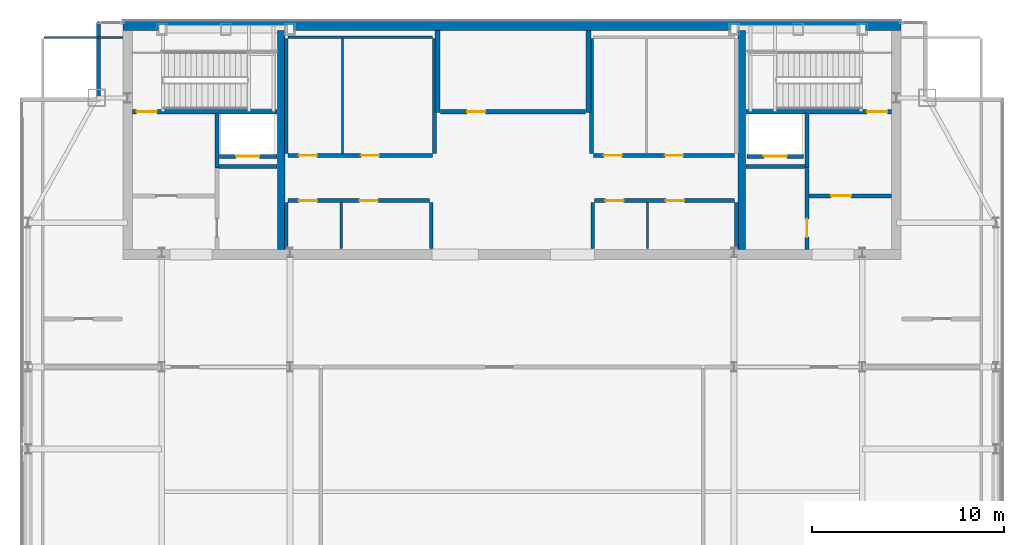
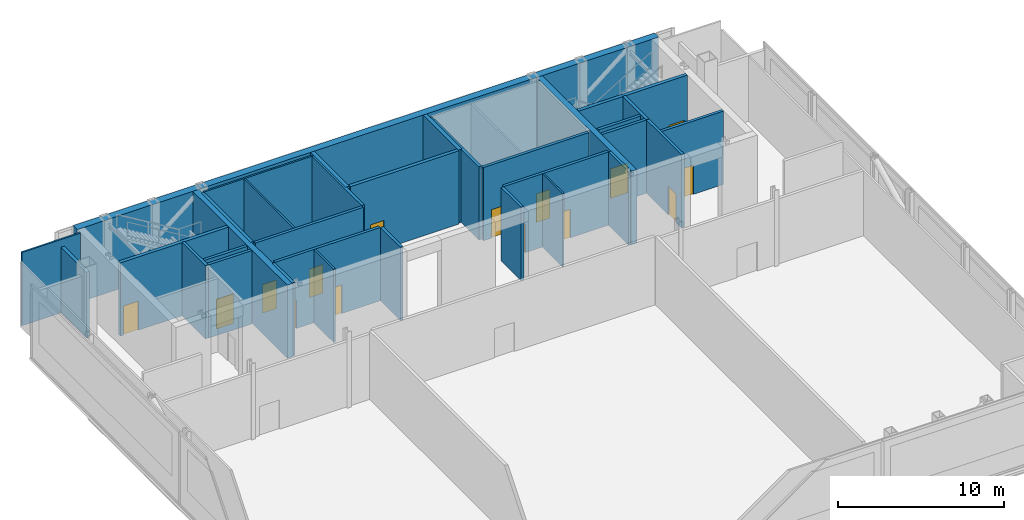
# One storey, part 19 of 22: 33 walls, 15 doors, 15 openings.
"""IFC4 building model written with IfcOpenShell, lengths in metres."""

from ifc_helpers import new_model, si_unit, direction, frame, frame_2d, origin, place, context, subcontext, project, spatial, rectangle, extrude, material, layer, layer_set, type_object, element, fill, save


model = new_model("IFC4")

# Units and contexts
model_context = context("Model", 3, precision=1e-05, world=origin(), true_north=direction((0.0, 1.0)))
body_context = subcontext(model_context, "Body", "Model", "MODEL_VIEW")
ifc_project = project(units=[si_unit("LENGTHUNIT", "METRE"), si_unit("AREAUNIT", "SQUARE_METRE"), si_unit("VOLUMEUNIT", "CUBIC_METRE"), si_unit("PLANEANGLEUNIT", "RADIAN"), si_unit("MASSUNIT", "GRAM", prefix="KILO")], contexts=[model_context])

# Site, building, storey
site_placement = place(None, origin())
site = spatial("IfcSite", under=ifc_project, at=site_placement, CompositionType="ELEMENT")
building_placement = place(site_placement, origin())
building = spatial("IfcBuilding", under=site, at=building_placement, Name="Khoronbel Lancet Exchange", CompositionType="ELEMENT")
storey_placement = place(building_placement, frame((0.0, 0.0, 361.800048828125)))
storey = spatial("IfcBuildingStorey", under=building, at=storey_placement, Name="L93", CompositionType="ELEMENT", Elevation=361.800048828125)

# Walls
ifc_material_1 = material(Name="Concrete C60/75", Category="concrete")
ifc_layer_1 = layer(ifc_material_1, 0.5, Name="Concrete C60/75")
ifc_layer_set_1 = layer_set([ifc_layer_1], Name="Concrete C60/75")
wall_type_1 = type_object("IfcWallType", Name="WL-CW4", PredefinedType="SHEAR", material=ifc_layer_set_1)
wall_1_placement = place(storey_placement, frame((16.199951171875, 53.449951171875, 0.0), z_axis=(0.0, 0.0, 1.0), x_axis=(1.0, 0.0, 0.0)))
element("IfcWall", 1, at=wall_1_placement, inside=storey, type_object=wall_type_1, Name="Level L93 rear core north shear wall", PredefinedType="SHEAR", context=body_context, shape_type="SweptSolid", body=[
    extrude(rectangle(XDim=40.5, YDim=0.5, at=frame_2d((20.25, 0.0))), origin(), (0.0, 0.0, 1.0), 5.39990234375),
])
ifc_material_2 = material(Name="Precast concrete C40/50", Category="concrete")
ifc_layer_2 = layer(ifc_material_2, 0.25, Name="Precast concrete C40/50")
ifc_layer_set_2 = layer_set([ifc_layer_2], Name="Precast concrete C40/50")
wall_type_2 = type_object("IfcWallType", Name="WL-EXT250", PredefinedType="SOLIDWALL", material=ifc_layer_set_2)
wall_2_placement = place(storey_placement, frame((14.93994140625, 49.719970703125, 0.0), z_axis=(0.0, 0.0, 1.0), x_axis=(0.0, 1.0, 0.0)))
element("IfcWall", 2, at=wall_2_placement, inside=storey, type_object=wall_type_2, Name="Level L93 notched-corner limestone pier 05", PredefinedType="SOLIDWALL", context=body_context, shape_type="SweptSolid", body=[
    extrude(rectangle(XDim=3.909912109375, YDim=0.219970703125, at=frame_2d((1.955078125, 0.0))), origin(), (0.0, 0.0, 1.0), 4.83984375),
])
ifc_material_3 = material(Name="Acoustic Metal-Stud & Mineral-Wool Gypsum Partition 120 mm", Category="gypsum")
ifc_layer_3 = layer(ifc_material_3, 0.1201171875, Name="Acoustic Metal-Stud & Mineral-Wool Gypsum Partition 120 mm")
ifc_layer_set_3 = layer_set([ifc_layer_3], Name="Acoustic Metal-Stud & Mineral-Wool Gypsum Partition 120 mm")
wall_type_3 = type_object("IfcWallType", Name="WL-PRT120", PredefinedType="PARTITIONING", material=ifc_layer_set_3)
wall_3_placement = place(storey_placement, frame((12.094970703125, 52.840087890625, 0.0), z_axis=(0.0, 0.0, 1.0), x_axis=(1.0, 0.0, 0.0)))
element("IfcWall", 3, at=wall_3_placement, inside=storey, type_object=wall_type_3, Name="Level L93 interior partition PW-LIN-NW", PredefinedType="PARTITIONING", context=body_context, shape_type="SweptSolid", body=[
    extrude(rectangle(XDim=4.10498046875, YDim=0.1201171875, at=frame_2d((2.052490234375, 0.0))), origin(), (0.0, 0.0, 1.0), 5.39990234375),
])
ifc_material_4 = material(Name="Fire-Rated Metal-Stud & Mineral-Wool Gypsum Partition 120 mm", Category="gypsum")
ifc_layer_4 = layer(ifc_material_4, 0.1201171875, Name="Fire-Rated Metal-Stud & Mineral-Wool Gypsum Partition 120 mm")
ifc_layer_set_4 = layer_set([ifc_layer_4], Name="Fire-Rated Metal-Stud & Mineral-Wool Gypsum Partition 120 mm")
wall_type_4 = type_object("IfcWallType", Name="WL-PRT120F", PredefinedType="PARTITIONING", material=ifc_layer_set_4)
wall_4_placement = place(storey_placement, frame((24.804931640625, 52.860107421875, 0.0), z_axis=(0.0, 0.0, 1.0), x_axis=(1.0, 0.0, 0.0)))
element("IfcWall", 4, at=wall_4_placement, inside=storey, type_object=wall_type_4, Name="Level L93 interior partition CW-PL-RN", PredefinedType="PARTITIONING", context=body_context, shape_type="SweptSolid", body=[
    extrude(rectangle(XDim=7.510009765625, YDim=0.1201171875, at=frame_2d((3.7548828125, 0.0))), origin(), (0.0, 0.0, 1.0), 5.39990234375),
])
wall_5_placement = place(storey_placement, frame((27.633544921875, 46.804931640625, 0.0), z_axis=(0.0, 0.0, 1.0), x_axis=(0.0, 1.0, 0.0)))
element("IfcWall", 5, at=wall_5_placement, inside=storey, type_object=wall_type_4, Name="Level L93 interior partition CW-PL-RS1", PredefinedType="PARTITIONING", context=body_context, shape_type="SweptSolid", body=[
    extrude(rectangle(XDim=5.989990234375, YDim=0.1201171875, at=frame_2d((2.9951171875, 0.0))), origin(), (0.0, 0.0, 1.0), 5.39990234375),
])
for number, where, z_axis, x_axis, name in (
    (6, (27.569091796875, 41.85009765625, 0.0), (0.0, 0.0, 1.0), (0.0, 1.0, 0.0), "Level L93 interior partition CW-PM-RS1"),
    (7, (43.49609375, 41.85009765625, 0.0), (0.0, 0.0, 1.0), (0.0, 1.0, 0.0), "Level L93 interior partition CW-PX-RS1"),
):
    element("IfcWall", number, at=place(storey_placement, frame(where, z_axis=z_axis, x_axis=x_axis)), inside=storey, type_object=wall_type_4, Name=name, PredefinedType="PARTITIONING", context=body_context, shape_type="SweptSolid", body=[
        extrude(rectangle(XDim=2.39501953125, YDim=0.1201171875, at=frame_2d((1.197509765625, 0.0))), origin(), (0.0, 0.0, 1.0), 5.39990234375),
    ])

# Wall, opening, door
ifc_material_5 = material(Name="Autoclaved Aerated Concrete Blockwork 200 mm", Category="masonry")
ifc_layer_5 = layer(ifc_material_5, 0.199951171875, Name="Autoclaved Aerated Concrete Blockwork 200 mm")
ifc_layer_set_5 = layer_set([ifc_layer_5], Name="Autoclaved Aerated Concrete Blockwork 200 mm")
wall_type_5 = type_object("IfcWallType", Name="WL-PRT200", PredefinedType="PARTITIONING", material=ifc_layer_set_5)
wall_6_placement = place(storey_placement, frame((51.610107421875, 46.64990234375, 0.0), z_axis=(0.0, 0.0, 1.0), x_axis=(-1.0, 0.0, 0.0)))
wall_6 = element("IfcWall", 8, at=wall_6_placement, inside=storey, type_object=wall_type_5, Name="Level L93 elevator hoistway landing front wall FFLE", PredefinedType="PARTITIONING", context=body_context, shape_type="SweptSolid", body=[
    extrude(rectangle(XDim=2.920166015625, YDim=0.199951171875, at=frame_2d((1.4599609375, 0.0))), origin(), (0.0, 0.0, 1.0), 5.39990234375),
])
opening_1_placement = place(wall_6_placement, frame((0.860107421875, 0.0, 0.0)))
opening_1 = element("IfcOpeningElement", 9, at=opening_1_placement, cuts=wall_6, Name="Opening LD-FFL2", PredefinedType="OPENING", context=body_context, shape_type="SweptSolid", body=[
    extrude(rectangle(XDim=1.199951171875, YDim=2.179931640625, at=frame_2d((0.60009765625, 1.08984375))), frame((0.0, 0.10986328125, 0.0), z_axis=(0.0, -1.0, 0.0), x_axis=(1.0, 0.0, 0.0)), (0.0, 0.0, 1.0), 0.219970703125),
])
ifc_material_6 = material(Name="Fire-Rated Stainless Bi-Parting Firefighting Lift Door", Category="steel")
door_type_1 = type_object("IfcDoorType", Name="DR-LD-FFL", OperationType="NOTDEFINED", PredefinedType="DOOR", material=ifc_material_6)
door_1_placement = place(opening_1_placement, origin())
door_1 = element("IfcDoor", 10, at=door_1_placement, inside=storey, type_object=door_type_1, Name="Elevator landing sliding door LD-FFL2 L93", OperationType="SLIDING_TO_LEFT", OverallHeight=2.179931640625, OverallWidth=1.199951171875, PredefinedType="DOOR", context=body_context, shape_type="SweptSolid", body=[
    extrude(rectangle(XDim=1.199951171875, YDim=2.179931640625, at=frame_2d((0.60009765625, 1.08984375))), frame((0.0, 0.02490234375, 0.0), z_axis=(0.0, -1.0, 0.0), x_axis=(1.0, 0.0, 0.0)), (0.0, 0.0, 1.0), 0.050048828125),
])
fill(opening_1, door_1)

wall_7_placement = place(storey_placement, frame((24.2099609375, 46.64990234375, 0.0), z_axis=(0.0, 0.0, 1.0), x_axis=(-1.0, 0.0, 0.0)))
wall_7 = element("IfcWall", 11, at=wall_7_placement, inside=storey, type_object=wall_type_5, Name="Level L93 elevator hoistway landing front wall FFLW", PredefinedType="PARTITIONING", context=body_context, shape_type="SweptSolid", body=[
    extrude(rectangle(XDim=2.969970703125, YDim=0.199951171875, at=frame_2d((1.48486328125, 0.0))), origin(), (0.0, 0.0, 1.0), 5.39990234375),
])
opening_2_placement = place(wall_7_placement, frame((0.909912109375, 0.0, 0.0)))
opening_2 = element("IfcOpeningElement", 12, at=opening_2_placement, cuts=wall_7, Name="Opening LD-FFL1", PredefinedType="OPENING", context=body_context, shape_type="SweptSolid", body=[
    extrude(rectangle(XDim=1.199951171875, YDim=2.179931640625, at=frame_2d((0.60009765625, 1.08984375))), frame((0.0, 0.10986328125, 0.0), z_axis=(0.0, -1.0, 0.0), x_axis=(1.0, 0.0, 0.0)), (0.0, 0.0, 1.0), 0.219970703125),
])
door_2_placement = place(opening_2_placement, origin())
door_2 = element("IfcDoor", 13, at=door_2_placement, inside=storey, type_object=door_type_1, Name="Elevator landing sliding door LD-FFL1 L93", OperationType="SLIDING_TO_LEFT", OverallHeight=2.179931640625, OverallWidth=1.199951171875, PredefinedType="DOOR", context=body_context, shape_type="SweptSolid", body=[
    extrude(rectangle(XDim=1.199951171875, YDim=2.179931640625, at=frame_2d((0.60009765625, 1.08984375))), frame((0.0, 0.02490234375, 0.0), z_axis=(0.0, -1.0, 0.0), x_axis=(1.0, 0.0, 0.0)), (0.0, 0.0, 1.0), 0.050048828125),
])
fill(opening_2, door_2)

# Walls
wall_8_placement = place(storey_placement, frame((21.10009765625, 46.050048828125, 0.0), z_axis=(0.0, 0.0, 1.0), x_axis=(0.0, 1.0, 0.0)))
element("IfcWall", 14, at=wall_8_placement, inside=storey, type_object=wall_type_5, Name="Level L93 interior partition CW-FFLW-E", PredefinedType="PARTITIONING", context=body_context, shape_type="SweptSolid", body=[
    extrude(rectangle(XDim=2.849853515625, YDim=0.199951171875, at=frame_2d((1.4248046875, 0.0))), origin(), (0.0, 0.0, 1.0), 5.39990234375),
])
wall_9_placement = place(storey_placement, frame((21.199951171875, 46.1201171875, 0.0), z_axis=(0.0, 0.0, 1.0), x_axis=(1.0, 0.0, 0.0)))
element("IfcWall", 15, at=wall_9_placement, inside=storey, type_object=wall_type_5, Name="Level L93 interior partition CW-FFL1-S", PredefinedType="PARTITIONING", context=body_context, shape_type="SweptSolid", body=[
    extrude(rectangle(XDim=3.02001953125, YDim=0.199951171875, at=frame_2d((1.510009765625, 0.0))), origin(), (0.0, 0.0, 1.0), 5.39990234375),
])
wall_10_placement = place(storey_placement, frame((51.800048828125, 46.050048828125, 0.0), z_axis=(0.0, 0.0, 1.0), x_axis=(0.0, 1.0, 0.0)))
element("IfcWall", 16, at=wall_10_placement, inside=storey, type_object=wall_type_5, Name="Level L93 interior partition CW-FFLE-W", PredefinedType="PARTITIONING", context=body_context, shape_type="SweptSolid", body=[
    extrude(rectangle(XDim=2.849853515625, YDim=0.199951171875, at=frame_2d((1.4248046875, 0.0))), origin(), (0.0, 0.0, 1.0), 5.39990234375),
])

# Wall, opening, door
wall_11_placement = place(storey_placement, frame((51.89990234375, 44.60009765625, 0.0), z_axis=(0.0, 0.0, 1.0), x_axis=(1.0, 0.0, 0.0)))
wall_11 = element("IfcWall", 17, at=wall_11_placement, inside=storey, type_object=wall_type_5, Name="Level L93 interior partition CW-FFLE-S", PredefinedType="PARTITIONING", context=body_context, shape_type="SweptSolid", body=[
    extrude(rectangle(XDim=4.300048828125, YDim=0.199951171875, at=frame_2d((2.14990234375, 0.0))), origin(), (0.0, 0.0, 1.0), 5.39990234375),
])
opening_3_placement = place(wall_11_placement, frame((1.14990234375, 0.0, 0.0)))
opening_3 = element("IfcOpeningElement", 18, at=opening_3_placement, cuts=wall_11, Name="Opening FD1", PredefinedType="OPENING", context=body_context, shape_type="SweptSolid", body=[
    extrude(rectangle(XDim=1.050048828125, YDim=2.14990234375, at=frame_2d((0.52490234375, 1.074951171875))), frame((0.0, 0.10986328125, 0.0), z_axis=(0.0, -1.0, 0.0), x_axis=(1.0, 0.0, 0.0)), (0.0, 0.0, 1.0), 0.219970703125),
])
ifc_material_7 = material(Name="Fire-Rated Painted Steel Door Assembly", Category="steel")
door_type_2 = type_object("IfcDoorType", Name="DR-FD1", OperationType="NOTDEFINED", PredefinedType="DOOR", material=ifc_material_7)
door_3_placement = place(opening_3_placement, origin())
door_3 = element("IfcDoor", 19, at=door_3_placement, inside=storey, type_object=door_type_2, Name="East firefighting lobby FD90S door L93-1", OperationType="SINGLE_SWING_LEFT", OverallHeight=2.14990234375, OverallWidth=1.050048828125, PredefinedType="DOOR", context=body_context, shape_type="SweptSolid", body=[
    extrude(rectangle(XDim=1.050048828125, YDim=2.14990234375, at=frame_2d((0.52490234375, 1.074951171875))), frame((0.0, 0.02490234375, 0.0), z_axis=(0.0, -1.0, 0.0), x_axis=(1.0, 0.0, 0.0)), (0.0, 0.0, 1.0), 0.050048828125),
])
fill(opening_3, door_3)

# Wall
wall_12_placement = place(storey_placement, frame((48.6298828125, 46.1201171875, 0.0), z_axis=(0.0, 0.0, 1.0), x_axis=(1.0, 0.0, 0.0)))
element("IfcWall", 20, at=wall_12_placement, inside=storey, type_object=wall_type_5, Name="Level L93 interior partition CW-FFL2-S", PredefinedType="PARTITIONING", context=body_context, shape_type="SweptSolid", body=[
    extrude(rectangle(XDim=3.070068359375, YDim=0.199951171875, at=frame_2d((1.53515625, 0.0))), origin(), (0.0, 0.0, 1.0), 5.39990234375),
])

# Wall, opening, door
wall_13_placement = place(storey_placement, frame((51.800048828125, 41.800048828125, 0.0), z_axis=(0.0, 0.0, 1.0), x_axis=(0.0, 1.0, 0.0)))
wall_13 = element("IfcWall", 21, at=wall_13_placement, inside=storey, type_object=wall_type_5, Name="Level L93 interior partition CW-SVL2-REC", PredefinedType="PARTITIONING", context=body_context, shape_type="SweptSolid", body=[
    extrude(rectangle(XDim=4.21484375, YDim=0.199951171875, at=frame_2d((2.107421875, 0.0))), origin(), (0.0, 0.0, 1.0), 5.39990234375),
])
opening_4_placement = place(wall_13_placement, frame((0.64990234375, 0.0, 0.0)))
opening_4 = element("IfcOpeningElement", 22, at=opening_4_placement, cuts=wall_13, Name="Opening FD3", PredefinedType="OPENING", context=body_context, shape_type="SweptSolid", body=[
    extrude(rectangle(XDim=0.949951171875, YDim=2.10009765625, at=frame_2d((0.47509765625, 1.050048828125))), frame((0.0, 0.10986328125, 0.0), z_axis=(0.0, -1.0, 0.0), x_axis=(1.0, 0.0, 0.0)), (0.0, 0.0, 1.0), 0.219970703125),
])
ifc_material_8 = material(Name="Fire-Rated Steel Plant & Riser Door Assembly", Category="steel")
door_type_3 = type_object("IfcDoorType", Name="DR-FD3", OperationType="NOTDEFINED", PredefinedType="DOOR", material=ifc_material_8)
door_4_placement = place(opening_4_placement, origin())
door_4 = element("IfcDoor", 23, at=door_4_placement, inside=storey, type_object=door_type_3, Name="Crown hydraulics plant door L93-1", OperationType="SINGLE_SWING_RIGHT", OverallHeight=2.10009765625, OverallWidth=0.949951171875, PredefinedType="DOOR", context=body_context, shape_type="SweptSolid", body=[
    extrude(rectangle(XDim=0.949951171875, YDim=2.10009765625, at=frame_2d((0.47509765625, 1.050048828125))), frame((0.0, 0.02490234375, 0.0), z_axis=(0.0, -1.0, 0.0), x_axis=(1.0, 0.0, 0.0)), (0.0, 0.0, 1.0), 0.050048828125),
])
fill(opening_4, door_4)

# Walls
for number, where, z_axis, x_axis, name in (
    (24, (24.699951171875, 46.804931640625, 0.0), (0.0, 0.0, 1.0), (0.0, 1.0, 0.0), "Level L93 interior partition CW-PL-RW"),
    (25, (32.419921875, 46.804931640625, 0.0), (0.0, 0.0, 1.0), (0.0, 1.0, 0.0), "Level L93 interior partition CW-PL-RE"),
):
    element("IfcWall", number, at=place(storey_placement, frame(where, z_axis=z_axis, x_axis=x_axis)), inside=storey, type_object=wall_type_5, Name=name, PredefinedType="PARTITIONING", context=body_context, shape_type="SweptSolid", body=[
        extrude(rectangle(XDim=5.989990234375, YDim=0.199951171875, at=frame_2d((2.9951171875, 0.0))), origin(), (0.0, 0.0, 1.0), 5.39990234375),
    ])

# Wall, openings, doors
wall_14_placement = place(storey_placement, frame((24.804931640625, 46.699951171875, 0.0), z_axis=(0.0, 0.0, 1.0), x_axis=(1.0, 0.0, 0.0)))
wall_14 = element("IfcWall", 26, at=wall_14_placement, inside=storey, type_object=wall_type_5, Name="Level L93 interior partition CW-PL-RF", PredefinedType="PARTITIONING", context=body_context, shape_type="SweptSolid", body=[
    extrude(rectangle(XDim=7.510009765625, YDim=0.199951171875, at=frame_2d((3.7548828125, 0.0))), origin(), (0.0, 0.0, 1.0), 5.39990234375),
])
opening_5_placement = place(wall_14_placement, frame((0.550048828125, 0.0, 0.0)))
opening_5 = element("IfcOpeningElement", 27, at=opening_5_placement, cuts=wall_14, Name="Opening FD3", PredefinedType="OPENING", context=body_context, shape_type="SweptSolid", body=[
    extrude(rectangle(XDim=0.949951171875, YDim=2.10009765625, at=frame_2d((0.47509765625, 1.050048828125))), frame((0.0, 0.10986328125, 0.0), z_axis=(0.0, -1.0, 0.0), x_axis=(1.0, 0.0, 0.0)), (0.0, 0.0, 1.0), 0.219970703125),
])
opening_6_placement = place(wall_14_placement, frame((3.78369140625, 0.0, 0.0)))
opening_6 = element("IfcOpeningElement", 28, at=opening_6_placement, cuts=wall_14, Name="Opening FD3", PredefinedType="OPENING", context=body_context, shape_type="SweptSolid", body=[
    extrude(rectangle(XDim=0.949951171875, YDim=2.10009765625, at=frame_2d((0.47509765625, 1.050048828125))), frame((0.0, 0.10986328125, 0.0), z_axis=(0.0, -1.0, 0.0), x_axis=(1.0, 0.0, 0.0)), (0.0, 0.0, 1.0), 0.219970703125),
])
door_5_placement = place(opening_5_placement, origin())
door_5 = element("IfcDoor", 29, at=door_5_placement, inside=storey, type_object=door_type_3, Name="Reclaimed PL A door L93-1", OperationType="SINGLE_SWING_LEFT", OverallHeight=2.10009765625, OverallWidth=0.949951171875, PredefinedType="DOOR", context=body_context, shape_type="SweptSolid", body=[
    extrude(rectangle(XDim=0.949951171875, YDim=2.10009765625, at=frame_2d((0.47509765625, 1.050048828125))), frame((0.0, 0.02490234375, 0.0), z_axis=(0.0, -1.0, 0.0), x_axis=(1.0, 0.0, 0.0)), (0.0, 0.0, 1.0), 0.050048828125),
])
fill(opening_5, door_5)
door_6_placement = place(opening_6_placement, origin())
door_6 = element("IfcDoor", 30, at=door_6_placement, inside=storey, type_object=door_type_3, Name="Reclaimed PL B door L93-2", OperationType="SINGLE_SWING_RIGHT", OverallHeight=2.10009765625, OverallWidth=0.949951171875, PredefinedType="DOOR", context=body_context, shape_type="SweptSolid", body=[
    extrude(rectangle(XDim=0.949951171875, YDim=2.10009765625, at=frame_2d((0.47509765625, 1.050048828125))), frame((0.0, 0.02490234375, 0.0), z_axis=(0.0, -1.0, 0.0), x_axis=(1.0, 0.0, 0.0)), (0.0, 0.0, 1.0), 0.050048828125),
])
fill(opening_6, door_6)

# Walls
for number, where, z_axis, x_axis, name in (
    (31, (24.699951171875, 41.85009765625, 0.0), (0.0, 0.0, 1.0), (0.0, 1.0, 0.0), "Level L93 interior partition CW-PM-RW"),
    (32, (32.25, 41.85009765625, 0.0), (0.0, 0.0, 1.0), (0.0, 1.0, 0.0), "Level L93 interior partition CW-PM-RE"),
):
    element("IfcWall", number, at=place(storey_placement, frame(where, z_axis=z_axis, x_axis=x_axis)), inside=storey, type_object=wall_type_5, Name=name, PredefinedType="PARTITIONING", context=body_context, shape_type="SweptSolid", body=[
        extrude(rectangle(XDim=2.39501953125, YDim=0.199951171875, at=frame_2d((1.197509765625, 0.0))), origin(), (0.0, 0.0, 1.0), 5.39990234375),
    ])

# Wall, openings, doors
wall_15_placement = place(storey_placement, frame((24.804931640625, 44.35009765625, 0.0), z_axis=(0.0, 0.0, 1.0), x_axis=(1.0, 0.0, 0.0)))
wall_15 = element("IfcWall", 33, at=wall_15_placement, inside=storey, type_object=wall_type_5, Name="Level L93 interior partition CW-PM-RF", PredefinedType="PARTITIONING", context=body_context, shape_type="SweptSolid", body=[
    extrude(rectangle(XDim=7.340087890625, YDim=0.199951171875, at=frame_2d((3.669921875, 0.0))), origin(), (0.0, 0.0, 1.0), 5.39990234375),
])
opening_7_placement = place(wall_15_placement, frame((0.550048828125, 0.0, 0.0)))
opening_7 = element("IfcOpeningElement", 34, at=opening_7_placement, cuts=wall_15, Name="Opening FD3", PredefinedType="OPENING", context=body_context, shape_type="SweptSolid", body=[
    extrude(rectangle(XDim=0.949951171875, YDim=2.10009765625, at=frame_2d((0.47509765625, 1.050048828125))), frame((0.0, 0.10986328125, 0.0), z_axis=(0.0, -1.0, 0.0), x_axis=(1.0, 0.0, 0.0)), (0.0, 0.0, 1.0), 0.219970703125),
])
opening_8_placement = place(wall_15_placement, frame((3.718994140625, 0.0, 0.0)))
opening_8 = element("IfcOpeningElement", 35, at=opening_8_placement, cuts=wall_15, Name="Opening FD3", PredefinedType="OPENING", context=body_context, shape_type="SweptSolid", body=[
    extrude(rectangle(XDim=0.949951171875, YDim=2.10009765625, at=frame_2d((0.47509765625, 1.050048828125))), frame((0.0, 0.10986328125, 0.0), z_axis=(0.0, -1.0, 0.0), x_axis=(1.0, 0.0, 0.0)), (0.0, 0.0, 1.0), 0.219970703125),
])
door_7_placement = place(opening_7_placement, origin())
door_7 = element("IfcDoor", 36, at=door_7_placement, inside=storey, type_object=door_type_3, Name="Reclaimed PM A door L93-1", OperationType="SINGLE_SWING_LEFT", OverallHeight=2.10009765625, OverallWidth=0.949951171875, PredefinedType="DOOR", context=body_context, shape_type="SweptSolid", body=[
    extrude(rectangle(XDim=0.949951171875, YDim=2.10009765625, at=frame_2d((0.47509765625, 1.050048828125))), frame((0.0, 0.02490234375, 0.0), z_axis=(0.0, -1.0, 0.0), x_axis=(1.0, 0.0, 0.0)), (0.0, 0.0, 1.0), 0.050048828125),
])
fill(opening_7, door_7)
door_8_placement = place(opening_8_placement, origin())
door_8 = element("IfcDoor", 37, at=door_8_placement, inside=storey, type_object=door_type_3, Name="Reclaimed PM B door L93-2", OperationType="SINGLE_SWING_RIGHT", OverallHeight=2.10009765625, OverallWidth=0.949951171875, PredefinedType="DOOR", context=body_context, shape_type="SweptSolid", body=[
    extrude(rectangle(XDim=0.949951171875, YDim=2.10009765625, at=frame_2d((0.47509765625, 1.050048828125))), frame((0.0, 0.02490234375, 0.0), z_axis=(0.0, -1.0, 0.0), x_axis=(1.0, 0.0, 0.0)), (0.0, 0.0, 1.0), 0.050048828125),
])
fill(opening_8, door_8)

# Wall
wall_16_placement = place(storey_placement, frame((40.580078125, 46.804931640625, 0.0), z_axis=(0.0, 0.0, 1.0), x_axis=(0.0, 1.0, 0.0)))
element("IfcWall", 38, at=wall_16_placement, inside=storey, type_object=wall_type_5, Name="Level L93 interior partition CW-PH-RW", PredefinedType="PARTITIONING", context=body_context, shape_type="SweptSolid", body=[
    extrude(rectangle(XDim=5.989990234375, YDim=0.199951171875, at=frame_2d((2.9951171875, 0.0))), origin(), (0.0, 0.0, 1.0), 5.39990234375),
])

# Wall, openings, doors
wall_17_placement = place(storey_placement, frame((40.68505859375, 46.699951171875, 0.0), z_axis=(0.0, 0.0, 1.0), x_axis=(1.0, 0.0, 0.0)))
wall_17 = element("IfcWall", 39, at=wall_17_placement, inside=storey, type_object=wall_type_5, Name="Level L93 interior partition CW-PH-RF", PredefinedType="PARTITIONING", context=body_context, shape_type="SweptSolid", body=[
    extrude(rectangle(XDim=7.349853515625, YDim=0.199951171875, at=frame_2d((3.6748046875, 0.0))), origin(), (0.0, 0.0, 1.0), 5.39990234375),
])
opening_9_placement = place(wall_17_placement, frame((0.550048828125, 0.0, 0.0)))
opening_9 = element("IfcOpeningElement", 40, at=opening_9_placement, cuts=wall_17, Name="Opening FD3", PredefinedType="OPENING", context=body_context, shape_type="SweptSolid", body=[
    extrude(rectangle(XDim=0.949951171875, YDim=2.10009765625, at=frame_2d((0.47509765625, 1.050048828125))), frame((0.0, 0.10986328125, 0.0), z_axis=(0.0, -1.0, 0.0), x_axis=(1.0, 0.0, 0.0)), (0.0, 0.0, 1.0), 0.219970703125),
])
opening_10_placement = place(wall_17_placement, frame((3.722900390625, 0.0, 0.0)))
opening_10 = element("IfcOpeningElement", 41, at=opening_10_placement, cuts=wall_17, Name="Opening FD3", PredefinedType="OPENING", context=body_context, shape_type="SweptSolid", body=[
    extrude(rectangle(XDim=0.949951171875, YDim=2.10009765625, at=frame_2d((0.47509765625, 1.050048828125))), frame((0.0, 0.10986328125, 0.0), z_axis=(0.0, -1.0, 0.0), x_axis=(1.0, 0.0, 0.0)), (0.0, 0.0, 1.0), 0.219970703125),
])
door_9_placement = place(opening_9_placement, origin())
door_9 = element("IfcDoor", 42, at=door_9_placement, inside=storey, type_object=door_type_3, Name="Reclaimed PH A door L93-1", OperationType="SINGLE_SWING_LEFT", OverallHeight=2.10009765625, OverallWidth=0.949951171875, PredefinedType="DOOR", context=body_context, shape_type="SweptSolid", body=[
    extrude(rectangle(XDim=0.949951171875, YDim=2.10009765625, at=frame_2d((0.47509765625, 1.050048828125))), frame((0.0, 0.02490234375, 0.0), z_axis=(0.0, -1.0, 0.0), x_axis=(1.0, 0.0, 0.0)), (0.0, 0.0, 1.0), 0.050048828125),
])
fill(opening_9, door_9)
door_10_placement = place(opening_10_placement, origin())
door_10 = element("IfcDoor", 43, at=door_10_placement, inside=storey, type_object=door_type_3, Name="Reclaimed PH B door L93-2", OperationType="SINGLE_SWING_RIGHT", OverallHeight=2.10009765625, OverallWidth=0.949951171875, PredefinedType="DOOR", context=body_context, shape_type="SweptSolid", body=[
    extrude(rectangle(XDim=0.949951171875, YDim=2.10009765625, at=frame_2d((0.47509765625, 1.050048828125))), frame((0.0, 0.02490234375, 0.0), z_axis=(0.0, -1.0, 0.0), x_axis=(1.0, 0.0, 0.0)), (0.0, 0.0, 1.0), 0.050048828125),
])
fill(opening_10, door_10)

# Walls
for number, where, z_axis, x_axis, name in (
    (44, (40.64990234375, 41.85009765625, 0.0), (0.0, 0.0, 1.0), (0.0, 1.0, 0.0), "Level L93 interior partition CW-PX-RW"),
    (45, (48.139892578125, 41.85009765625, 0.0), (0.0, 0.0, 1.0), (0.0, 1.0, 0.0), "Level L93 interior partition CW-PX-RE"),
):
    element("IfcWall", number, at=place(storey_placement, frame(where, z_axis=z_axis, x_axis=x_axis)), inside=storey, type_object=wall_type_5, Name=name, PredefinedType="PARTITIONING", context=body_context, shape_type="SweptSolid", body=[
        extrude(rectangle(XDim=2.39501953125, YDim=0.199951171875, at=frame_2d((1.197509765625, 0.0))), origin(), (0.0, 0.0, 1.0), 5.39990234375),
    ])

# Wall, openings, doors
wall_18_placement = place(storey_placement, frame((40.7548828125, 44.35009765625, 0.0), z_axis=(0.0, 0.0, 1.0), x_axis=(1.0, 0.0, 0.0)))
wall_18 = element("IfcWall", 46, at=wall_18_placement, inside=storey, type_object=wall_type_5, Name="Level L93 interior partition CW-PX-RF", PredefinedType="PARTITIONING", context=body_context, shape_type="SweptSolid", body=[
    extrude(rectangle(XDim=7.280029296875, YDim=0.199951171875, at=frame_2d((3.64013671875, 0.0))), origin(), (0.0, 0.0, 1.0), 5.39990234375),
])
opening_11_placement = place(wall_18_placement, frame((0.550048828125, 0.0, 0.0)))
opening_11 = element("IfcOpeningElement", 47, at=opening_11_placement, cuts=wall_18, Name="Opening FD3", PredefinedType="OPENING", context=body_context, shape_type="SweptSolid", body=[
    extrude(rectangle(XDim=0.949951171875, YDim=2.10009765625, at=frame_2d((0.47509765625, 1.050048828125))), frame((0.0, 0.10986328125, 0.0), z_axis=(0.0, -1.0, 0.0), x_axis=(1.0, 0.0, 0.0)), (0.0, 0.0, 1.0), 0.219970703125),
])
opening_12_placement = place(wall_18_placement, frame((3.6962890625, 0.0, 0.0)))
opening_12 = element("IfcOpeningElement", 48, at=opening_12_placement, cuts=wall_18, Name="Opening FD3", PredefinedType="OPENING", context=body_context, shape_type="SweptSolid", body=[
    extrude(rectangle(XDim=0.949951171875, YDim=2.10009765625, at=frame_2d((0.47509765625, 1.050048828125))), frame((0.0, 0.10986328125, 0.0), z_axis=(0.0, -1.0, 0.0), x_axis=(1.0, 0.0, 0.0)), (0.0, 0.0, 1.0), 0.219970703125),
])
door_11_placement = place(opening_11_placement, origin())
door_11 = element("IfcDoor", 49, at=door_11_placement, inside=storey, type_object=door_type_3, Name="Reclaimed PX A door L93-1", OperationType="SINGLE_SWING_LEFT", OverallHeight=2.10009765625, OverallWidth=0.949951171875, PredefinedType="DOOR", context=body_context, shape_type="SweptSolid", body=[
    extrude(rectangle(XDim=0.949951171875, YDim=2.10009765625, at=frame_2d((0.47509765625, 1.050048828125))), frame((0.0, 0.02490234375, 0.0), z_axis=(0.0, -1.0, 0.0), x_axis=(1.0, 0.0, 0.0)), (0.0, 0.0, 1.0), 0.050048828125),
])
fill(opening_11, door_11)
door_12_placement = place(opening_12_placement, origin())
door_12 = element("IfcDoor", 50, at=door_12_placement, inside=storey, type_object=door_type_3, Name="Reclaimed PX B door L93-2", OperationType="SINGLE_SWING_RIGHT", OverallHeight=2.10009765625, OverallWidth=0.949951171875, PredefinedType="DOOR", context=body_context, shape_type="SweptSolid", body=[
    extrude(rectangle(XDim=0.949951171875, YDim=2.10009765625, at=frame_2d((0.47509765625, 1.050048828125))), frame((0.0, 0.02490234375, 0.0), z_axis=(0.0, -1.0, 0.0), x_axis=(1.0, 0.0, 0.0)), (0.0, 0.0, 1.0), 0.050048828125),
])
fill(opening_12, door_12)

# Walls
ifc_layer_6 = layer(ifc_material_1, 0.39990234375, Name="Concrete C60/75")
ifc_layer_set_6 = layer_set([ifc_layer_6], Name="Concrete C60/75")
wall_type_6 = type_object("IfcWallType", Name="WL-SW2", PredefinedType="SHEAR", material=ifc_layer_set_6)
for number, where, z_axis, x_axis, name in (
    (51, (24.449951171875, 41.800048828125, 0.0), (0.0, 0.0, 1.0), (0.0, 1.0, 0.0), "Level L93 rear core internal spine shear wall IW"),
    (52, (48.39990234375, 41.800048828125, 0.0), (0.0, 0.0, 1.0), (0.0, 1.0, 0.0), "Level L93 rear core internal spine shear wall IE"),
):
    element("IfcWall", number, at=place(storey_placement, frame(where, z_axis=z_axis, x_axis=x_axis)), inside=storey, type_object=wall_type_6, Name=name, PredefinedType="SHEAR", context=body_context, shape_type="SweptSolid", body=[
        extrude(rectangle(XDim=11.39990234375, YDim=0.39990234375, at=frame_2d((5.699951171875, 0.0))), origin(), (0.0, 0.0, 1.0), 5.39990234375),
    ])
ifc_layer_7 = layer(ifc_material_1, 0.260009765625, Name="Concrete C60/75")
ifc_layer_set_7 = layer_set([ifc_layer_7], Name="Concrete C60/75")
wall_type_7 = type_object("IfcWallType", Name="WL-SW3", PredefinedType="SHEAR", material=ifc_layer_set_7)
for number, where, z_axis, x_axis, name in (
    (53, (32.580078125, 48.949951171875, 0.0), (0.0, 0.0, 1.0), (0.0, 1.0, 0.0), "Level L93 central stairwell structural shear wall ST3W"),
    (54, (40.419921875, 48.949951171875, 0.0), (0.0, 0.0, 1.0), (0.0, 1.0, 0.0), "Level L93 central stairwell structural shear wall ST3E"),
):
    element("IfcWall", number, at=place(storey_placement, frame(where, z_axis=z_axis, x_axis=x_axis)), inside=storey, type_object=wall_type_7, Name=name, PredefinedType="SHEAR", context=body_context, shape_type="SweptSolid", body=[
        extrude(rectangle(XDim=4.25, YDim=0.260009765625, at=frame_2d((2.125, 0.0))), origin(), (0.0, 0.0, 1.0), 5.39990234375),
    ])

# Wall, opening, door
wall_19_placement = place(storey_placement, frame((16.699951171875, 48.97998046875, 0.0), z_axis=(0.0, 0.0, 1.0), x_axis=(1.0, 0.0, 0.0)))
wall_19 = element("IfcWall", 55, at=wall_19_placement, inside=storey, type_object=wall_type_7, Name="Level L93 west stairwell structural south wall", PredefinedType="SHEAR", context=body_context, shape_type="SweptSolid", body=[
    extrude(rectangle(XDim=7.52001953125, YDim=0.239990234375, at=frame_2d((3.760009765625, 0.0))), origin(), (0.0, 0.0, 1.0), 5.39990234375),
])
opening_13_placement = place(wall_19_placement, frame((0.219970703125, 0.0, 0.0)))
opening_13 = element("IfcOpeningElement", 56, at=opening_13_placement, cuts=wall_19, Name="Opening SD1", PredefinedType="OPENING", context=body_context, shape_type="SweptSolid", body=[
    extrude(rectangle(XDim=1.050048828125, YDim=2.14990234375, at=frame_2d((0.52490234375, 1.074951171875))), frame((0.0, 0.1298828125, 0.0), z_axis=(0.0, -1.0, 0.0), x_axis=(1.0, 0.0, 0.0)), (0.0, 0.0, 1.0), 0.260009765625),
])
ifc_material_9 = material(Name="Fire-Rated Steel Stairwell Door Assembly", Category="steel")
door_type_4 = type_object("IfcDoorType", Name="DR-SD1", OperationType="NOTDEFINED", PredefinedType="DOOR", material=ifc_material_9)
door_13_placement = place(opening_13_placement, origin())
door_13 = element("IfcDoor", 57, at=door_13_placement, inside=storey, type_object=door_type_4, Name="Protected exit stair ST1 door L93", OperationType="SINGLE_SWING_LEFT", OverallHeight=2.14990234375, OverallWidth=1.050048828125, PredefinedType="DOOR", context=body_context, shape_type="SweptSolid", body=[
    extrude(rectangle(XDim=1.050048828125, YDim=2.14990234375, at=frame_2d((0.52490234375, 1.074951171875))), frame((0.0, 0.02490234375, 0.0), z_axis=(0.0, -1.0, 0.0), x_axis=(1.0, 0.0, 0.0)), (0.0, 0.0, 1.0), 0.050048828125),
])
fill(opening_13, door_13)

wall_20_placement = place(storey_placement, frame((48.6298828125, 48.97998046875, 0.0), z_axis=(0.0, 0.0, 1.0), x_axis=(1.0, 0.0, 0.0)))
wall_20 = element("IfcWall", 58, at=wall_20_placement, inside=storey, type_object=wall_type_7, Name="Level L93 east stairwell structural south wall", PredefinedType="SHEAR", context=body_context, shape_type="SweptSolid", body=[
    extrude(rectangle(XDim=7.570068359375, YDim=0.239990234375, at=frame_2d((3.78515625, 0.0))), origin(), (0.0, 0.0, 1.0), 5.39990234375),
])
opening_14_placement = place(wall_20_placement, frame((6.300048828125, 0.0, 0.0)))
opening_14 = element("IfcOpeningElement", 59, at=opening_14_placement, cuts=wall_20, Name="Opening SD1", PredefinedType="OPENING", context=body_context, shape_type="SweptSolid", body=[
    extrude(rectangle(XDim=1.050048828125, YDim=2.14990234375, at=frame_2d((0.52490234375, 1.074951171875))), frame((0.0, 0.1298828125, 0.0), z_axis=(0.0, -1.0, 0.0), x_axis=(1.0, 0.0, 0.0)), (0.0, 0.0, 1.0), 0.260009765625),
])
door_14_placement = place(opening_14_placement, origin())
door_14 = element("IfcDoor", 60, at=door_14_placement, inside=storey, type_object=door_type_4, Name="Protected exit stair ST2 door L93", OperationType="SINGLE_SWING_RIGHT", OverallHeight=2.14990234375, OverallWidth=1.050048828125, PredefinedType="DOOR", context=body_context, shape_type="SweptSolid", body=[
    extrude(rectangle(XDim=1.050048828125, YDim=2.14990234375, at=frame_2d((0.52490234375, 1.074951171875))), frame((0.0, 0.02490234375, 0.0), z_axis=(0.0, -1.0, 0.0), x_axis=(1.0, 0.0, 0.0)), (0.0, 0.0, 1.0), 0.050048828125),
])
fill(opening_14, door_14)

wall_21_placement = place(storey_placement, frame((32.719970703125, 48.97998046875, 0.0), z_axis=(0.0, 0.0, 1.0), x_axis=(1.0, 0.0, 0.0)))
wall_21 = element("IfcWall", 61, at=wall_21_placement, inside=storey, type_object=wall_type_7, Name="Level L93 central stairwell structural south wall", PredefinedType="SHEAR", context=body_context, shape_type="SweptSolid", body=[
    extrude(rectangle(XDim=7.56005859375, YDim=0.239990234375, at=frame_2d((3.780029296875, 0.0))), origin(), (0.0, 0.0, 1.0), 5.39990234375),
])
opening_15_placement = place(wall_21_placement, frame((1.39990234375, 0.0, 0.0)))
opening_15 = element("IfcOpeningElement", 62, at=opening_15_placement, cuts=wall_21, Name="Opening FD3", PredefinedType="OPENING", context=body_context, shape_type="SweptSolid", body=[
    extrude(rectangle(XDim=0.949951171875, YDim=2.10009765625, at=frame_2d((0.47509765625, 1.050048828125))), frame((0.0, 0.1298828125, 0.0), z_axis=(0.0, -1.0, 0.0), x_axis=(1.0, 0.0, 0.0)), (0.0, 0.0, 1.0), 0.260009765625),
])
door_15_placement = place(opening_15_placement, origin())
door_15 = element("IfcDoor", 63, at=door_15_placement, inside=storey, type_object=door_type_3, Name="Crown smoke extract plant door L93", OperationType="SINGLE_SWING_RIGHT", OverallHeight=2.10009765625, OverallWidth=0.949951171875, PredefinedType="DOOR", context=body_context, shape_type="SweptSolid", body=[
    extrude(rectangle(XDim=0.949951171875, YDim=2.10009765625, at=frame_2d((0.47509765625, 1.050048828125))), frame((0.0, 0.02490234375, 0.0), z_axis=(0.0, -1.0, 0.0), x_axis=(1.0, 0.0, 0.0)), (0.0, 0.0, 1.0), 0.050048828125),
])
fill(opening_15, door_15)

save(model, "model.ifc")
